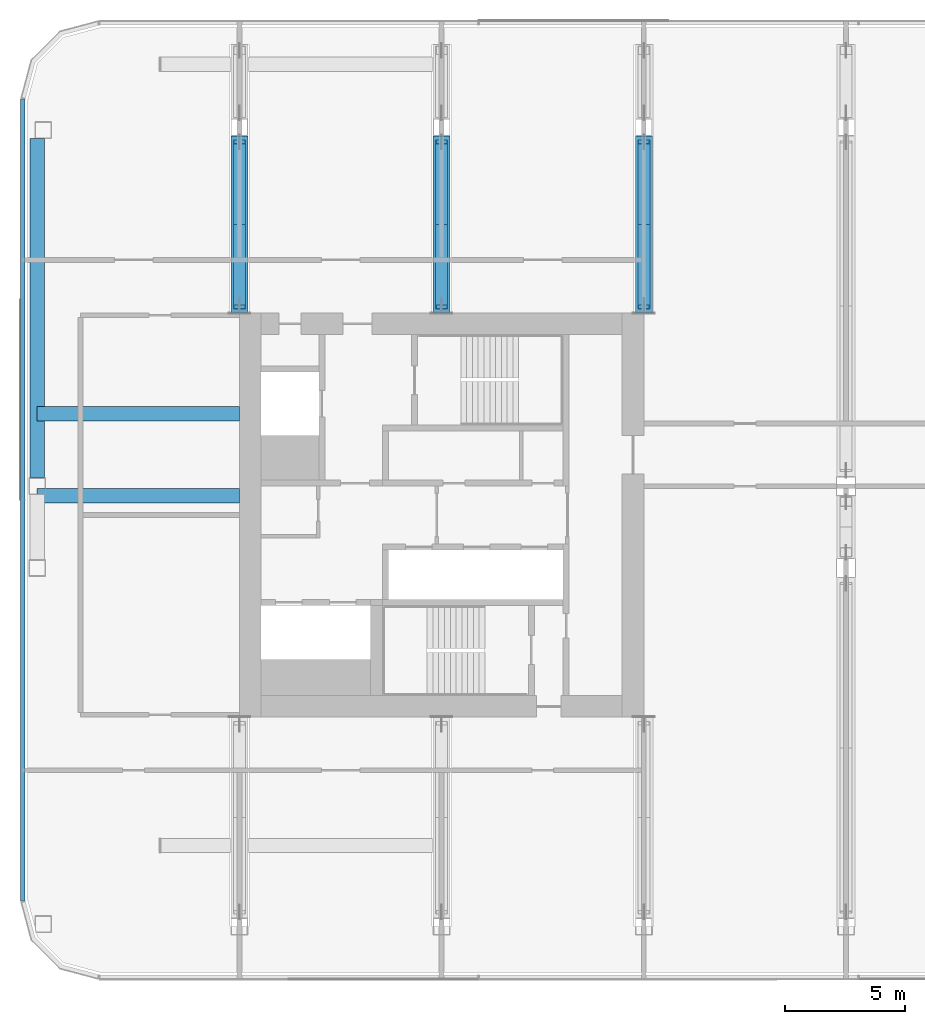
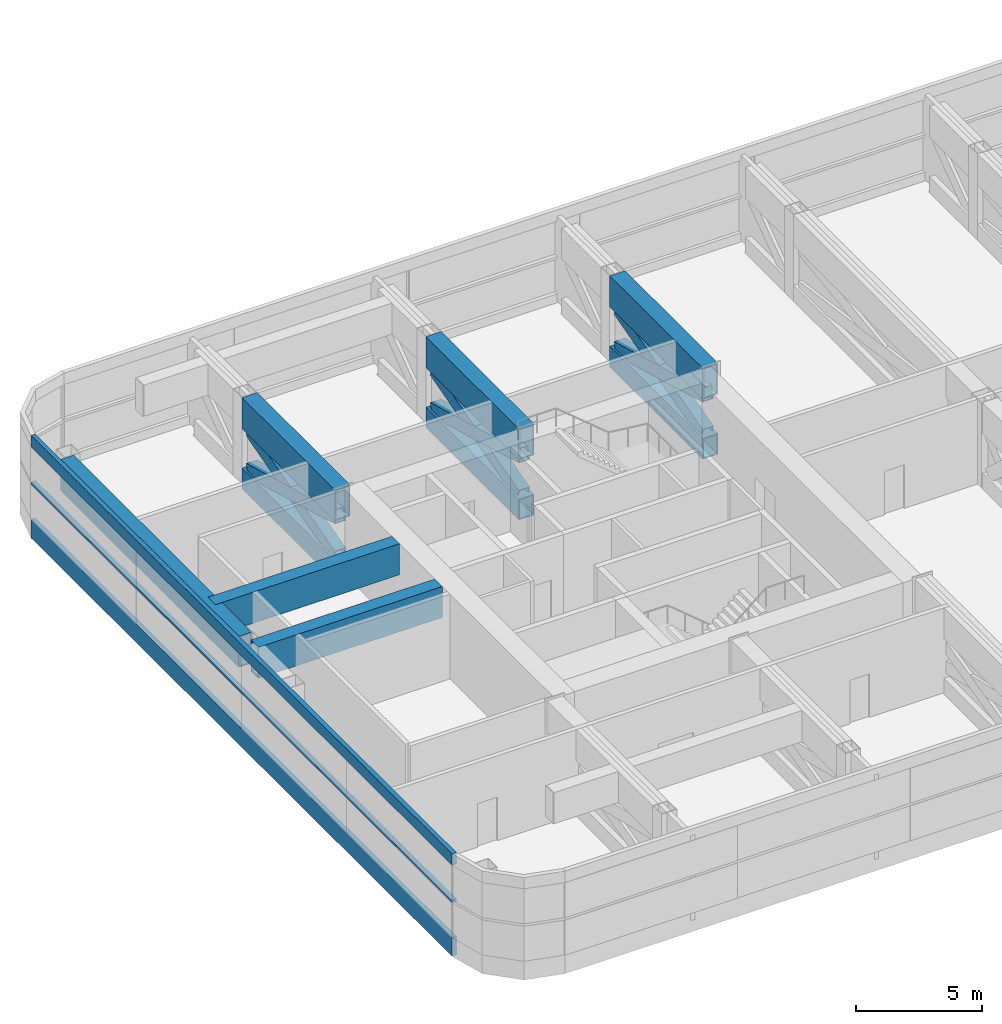
# One storey, part 3 of 33: 15 members, 3 beams, 1 element without a shape of its own.
"""IFC4 building model written with IfcOpenShell, lengths in metres."""

from ifc_helpers import new_model, si_unit, direction, frame, origin, origin_2d, place, context, subcontext, project, spatial, rectangle, hollow_rectangle, extrude, material, layer, layer_set, material_profile, profile_set, type_object, element, aggregate, save


model = new_model("IFC4")

# Units and contexts
model_context = context("Model", 3, precision=1e-05, world=origin(), true_north=direction((0.0, 1.0)))
body_context = subcontext(model_context, "Body", "Model", "MODEL_VIEW")
ifc_project = project(units=[si_unit("LENGTHUNIT", "METRE"), si_unit("AREAUNIT", "SQUARE_METRE"), si_unit("VOLUMEUNIT", "CUBIC_METRE"), si_unit("PLANEANGLEUNIT", "RADIAN"), si_unit("MASSUNIT", "GRAM", prefix="KILO")], contexts=[model_context])

# Site, building, storey
site_placement = place(None, origin())
site = spatial("IfcSite", under=ifc_project, at=site_placement, CompositionType="ELEMENT")
building_placement = place(site_placement, origin())
building = spatial("IfcBuilding", under=site, at=building_placement, Name="Hakoniwa Tower and Hamabe Station Hall", CompositionType="ELEMENT")
storey_placement = place(building_placement, frame((0.0, 0.0, 175.800048828125)))
storey = spatial("IfcBuildingStorey", under=building, at=storey_placement, Name="L50", CompositionType="ELEMENT", Elevation=175.800048828125)

# Curtain wall, members
ifc_material_1 = material(Name="Dark low-e laminated glass", Category="glass")
ifc_layer = layer(ifc_material_1, 0.199951171875)
ifc_layer_set = layer_set([ifc_layer], Name="CW-6 PLANT LOUVRE")
curtain_wall_type = type_object("IfcCurtainWallType", Name="CW-6 PLANT LOUVRE", PredefinedType="NOTDEFINED", material=ifc_layer_set)
curtain_wall_placement = place(storey_placement, origin())
curtain_wall = element("IfcCurtainWall", 1, at=curtain_wall_placement, inside=storey, type_object=curtain_wall_type, Name="CW-6 curtain wall", PredefinedType="NOTDEFINED")
ifc_material_2 = material(Name="Aluminium 6063-T5 black anodised", Category="aluminium")
ifc_material_profile_1 = material_profile(ifc_material_2, rectangle(XDim=0.199951171875, YDim=0.550048828125, at=origin_2d()), Name="CW HEAD BAND 550X200")
ifc_profile_set_1 = profile_set([ifc_material_profile_1], Name="Aluminium 6063-T5 black anodised")
member_type_1 = type_object("IfcMemberType", Name="CW HEAD BAND 550X200", PredefinedType="USERDEFINED", material=ifc_profile_set_1)
member_1_placement = place(storey_placement, frame((-42.60009765625, 17.28955078125, 4.125), z_axis=(0.0, -1.0, 0.0), x_axis=(1.0, 0.0, 0.0)))
member_1 = element("IfcMember", 2, at=member_1_placement, type_object=member_type_1, Name="CW-6 transom", ObjectType="TRANSOM", PredefinedType="USERDEFINED", context=body_context, shape_type="SweptSolid", body=[
    extrude(rectangle(XDim=0.199951171875, YDim=0.550048828125, at=origin_2d()), origin(), (0.0, 0.0, 1.0), 33.3291015625),
])
ifc_material_3 = material(Name="Aluminium 6063-T5 black anodised", Category="aluminium")
ifc_material_profile_2 = material_profile(ifc_material_3, rectangle(XDim=0.199951171875, YDim=0.1201171875, at=origin_2d()), Name="CW MID TRANSOM 120X200")
ifc_profile_set_2 = profile_set([ifc_material_profile_2], Name="Aluminium 6063-T5 black anodised")
member_type_2 = type_object("IfcMemberType", Name="CW MID TRANSOM 120X200", PredefinedType="USERDEFINED", material=ifc_profile_set_2)
member_2_placement = place(storey_placement, frame((-42.60009765625, 17.28955078125, 2.099853515625), z_axis=(0.0, -1.0, 0.0), x_axis=(1.0, 0.0, 0.0)))
member_2 = element("IfcMember", 3, at=member_2_placement, type_object=member_type_2, Name="CW-6 transom", ObjectType="TRANSOM", PredefinedType="USERDEFINED", context=body_context, shape_type="SweptSolid", body=[
    extrude(rectangle(XDim=0.199951171875, YDim=0.1201171875, at=origin_2d()), origin(), (0.0, 0.0, 1.0), 33.3291015625),
])
ifc_material_4 = material(Name="Aluminium 6063-T5 black anodised", Category="aluminium")
ifc_material_profile_3 = material_profile(ifc_material_4, rectangle(XDim=0.199951171875, YDim=0.89990234375, at=origin_2d()), Name="CW SLAB-EDGE BAND 900X200")
ifc_profile_set_3 = profile_set([ifc_material_profile_3], Name="Aluminium 6063-T5 black anodised")
member_type_3 = type_object("IfcMemberType", Name="CW SLAB-EDGE BAND 900X200", PredefinedType="USERDEFINED", material=ifc_profile_set_3)
member_3_placement = place(storey_placement, frame((-42.60009765625, 17.28955078125, -0.10009765625), z_axis=(0.0, -1.0, 0.0), x_axis=(1.0, 0.0, 0.0)))
member_3 = element("IfcMember", 4, at=member_3_placement, type_object=member_type_3, Name="CW-6 transom", ObjectType="TRANSOM", PredefinedType="USERDEFINED", context=body_context, shape_type="SweptSolid", body=[
    extrude(rectangle(XDim=0.199951171875, YDim=0.89990234375, at=origin_2d()), origin(), (0.0, 0.0, 1.0), 33.3291015625),
])
aggregate(curtain_wall, [member_3, member_2, member_1])

# Beams
ifc_material_5 = material(Name="Steel SN490C", Category="steel")
ifc_material_profile_4 = material_profile(ifc_material_5, hollow_rectangle(XDim=0.60009765625, YDim=1.5, WallThickness=0.054931640625, at=origin_2d()), Name="BX-1500x600x55")
ifc_profile_set_4 = profile_set([ifc_material_profile_4], Name="Steel SN490C")
beam_type = type_object("IfcBeamType", Name="TRANSFER GIRDER BX-1500x600x55", PredefinedType="BEAM", material=ifc_profile_set_4)
for number, where, z_axis, x_axis, name in (
    (5, (-42.0, 0.800048828125, 3.349853515625), (1.0, 0.0, 0.0), (0.0, 1.0, 0.0), "Truss L50-XG3"),
    (6, (-42.0, 4.199951171875, 3.349853515625), (1.0, 0.0, 0.0), (0.0, 1.0, 0.0), "Truss L50-XG5"),
):
    element("IfcBeam", number, at=place(storey_placement, frame(where, z_axis=z_axis, x_axis=x_axis)), inside=storey, type_object=beam_type, Name=name, PredefinedType="BEAM", context=body_context, shape_type="SweptSolid", body=[
        extrude(hollow_rectangle(XDim=0.60009765625, YDim=1.5, WallThickness=0.054931640625, at=origin_2d()), origin(), (0.0, 0.0, 1.0), 8.39990234375),
    ])
beam_placement = place(storey_placement, frame((-42.0, 1.550048828125, 3.349853515625), z_axis=(0.0, 1.0, 0.0), x_axis=(-1.0, 0.0, 0.0)))
element("IfcBeam", 7, at=beam_placement, inside=storey, type_object=beam_type, Name="Truss L50-EB3", PredefinedType="BEAM", context=body_context, shape_type="SweptSolid", body=[
    extrude(hollow_rectangle(XDim=0.60009765625, YDim=1.5, WallThickness=0.054931640625, at=origin_2d()), origin(), (0.0, 0.0, 1.0), 14.093994140625),
])

# Members
ifc_material_6 = material(Name="Steel SN490C", Category="steel")
ifc_material_profile_5 = material_profile(ifc_material_6, hollow_rectangle(XDim=0.699951171875, YDim=1.0, WallThickness=0.0400390625, at=origin_2d()), Name="BX-1000x700x40")
ifc_profile_set_5 = profile_set([ifc_material_profile_5], Name="Steel SN490C")
member_type_4 = type_object("IfcMemberType", Name="TRUSS CHORD BX-1000x700x40", PredefinedType="CHORD", material=ifc_profile_set_5)
for number, where, z_axis, x_axis, name in (
    (8, (-33.60009765625, 8.39990234375, 0.199951171875), (0.0, 1.0, 0.0), (-1.0, 0.0, 0.0), "Truss T3-06-BC01"),
    (9, (-25.199951171875, 8.39990234375, 0.199951171875), (0.0, 1.0, 0.0), (-1.0, 0.0, 0.0), "Truss T3-08-BC01"),
    (10, (-16.800048828125, 8.39990234375, 0.199951171875), (0.0, 1.0, 0.0), (-1.0, 0.0, 0.0), "Truss T3-10-BC01"),
):
    element("IfcMember", number, at=place(storey_placement, frame(where, z_axis=z_axis, x_axis=x_axis)), inside=storey, type_object=member_type_4, Name=name, PredefinedType="CHORD", context=body_context, shape_type="SweptSolid", body=[
        extrude(hollow_rectangle(XDim=0.699951171875, YDim=1.0, WallThickness=0.0400390625, at=origin_2d()), origin(), (0.0, 0.0, 1.0), 7.35009765625),
    ])
ifc_material_7 = material(Name="Steel SN490C", Category="steel")
ifc_material_profile_6 = material_profile(ifc_material_7, hollow_rectangle(XDim=0.699951171875, YDim=1.5, WallThickness=0.054931640625, at=origin_2d()), Name="BX-1500x700x55")
ifc_profile_set_6 = profile_set([ifc_material_profile_6], Name="Steel SN490C")
member_type_5 = type_object("IfcMemberType", Name="TRUSS CHORD BX-1500x700x55", PredefinedType="CHORD", material=ifc_profile_set_6)
for number, where, z_axis, x_axis, name in (
    (11, (-33.60009765625, 8.39990234375, 3.349853515625), (0.0, 1.0, 0.0), (-1.0, 0.0, 0.0), "Truss T3-06-TC01"),
    (12, (-25.199951171875, 8.39990234375, 3.349853515625), (0.0, 1.0, 0.0), (-1.0, 0.0, 0.0), "Truss T3-08-TC01"),
    (13, (-16.800048828125, 8.39990234375, 3.349853515625), (0.0, 1.0, 0.0), (-1.0, 0.0, 0.0), "Truss T3-10-TC01"),
):
    element("IfcMember", number, at=place(storey_placement, frame(where, z_axis=z_axis, x_axis=x_axis)), inside=storey, type_object=member_type_5, Name=name, PredefinedType="CHORD", context=body_context, shape_type="SweptSolid", body=[
        extrude(hollow_rectangle(XDim=0.699951171875, YDim=1.5, WallThickness=0.054931640625, at=origin_2d()), origin(), (0.0, 0.0, 1.0), 7.35009765625),
    ])
ifc_material_8 = material(Name="Steel SN490C", Category="steel")
ifc_material_profile_7 = material_profile(ifc_material_8, hollow_rectangle(XDim=0.5, YDim=0.60009765625, WallThickness=0.028076171875, at=origin_2d()), Name="BX-600x500x28")
ifc_profile_set_7 = profile_set([ifc_material_profile_7], Name="Steel SN490C")
member_type_6 = type_object("IfcMemberType", Name="TRUSS DIAGONAL BX-600x500x28", PredefinedType="BRACE", material=ifc_profile_set_7)
for number, where, z_axis, x_axis, name in (
    (14, (-33.60009765625, 8.64990234375, 0.699951171875), (0.0, 0.963623130334, 0.267264780108), (-1.0, 0.0, 0.0), "Truss T3-06-D01a"),
    (15, (-33.60009765625, 8.64990234375, 2.599853515625), (0.0, 0.963623130334, -0.267264780108), (-1.0, 0.0, 0.0), "Truss T3-06-D01b"),
    (16, (-25.199951171875, 8.64990234375, 0.699951171875), (0.0, 0.963623130334, 0.267264780108), (-1.0, 0.0, 0.0), "Truss T3-08-D01a"),
    (17, (-25.199951171875, 8.64990234375, 2.599853515625), (0.0, 0.963623130334, -0.267264780108), (-1.0, 0.0, 0.0), "Truss T3-08-D01b"),
    (18, (-16.800048828125, 8.64990234375, 0.699951171875), (0.0, 0.963623130334, 0.267264780108), (-1.0, 0.0, 0.0), "Truss T3-10-D01a"),
    (19, (-16.800048828125, 8.64990234375, 2.599853515625), (0.0, 0.963623130334, -0.267264780108), (-1.0, 0.0, 0.0), "Truss T3-10-D01b"),
):
    element("IfcMember", number, at=place(storey_placement, frame(where, z_axis=z_axis, x_axis=x_axis)), inside=storey, type_object=member_type_6, Name=name, PredefinedType="BRACE", context=body_context, shape_type="SweptSolid", body=[
        extrude(hollow_rectangle(XDim=0.5, YDim=0.60009765625, WallThickness=0.028076171875, at=origin_2d()), origin(), (0.0, 0.0, 1.0), 7.108642578125),
    ])

save(model, "model.ifc")
